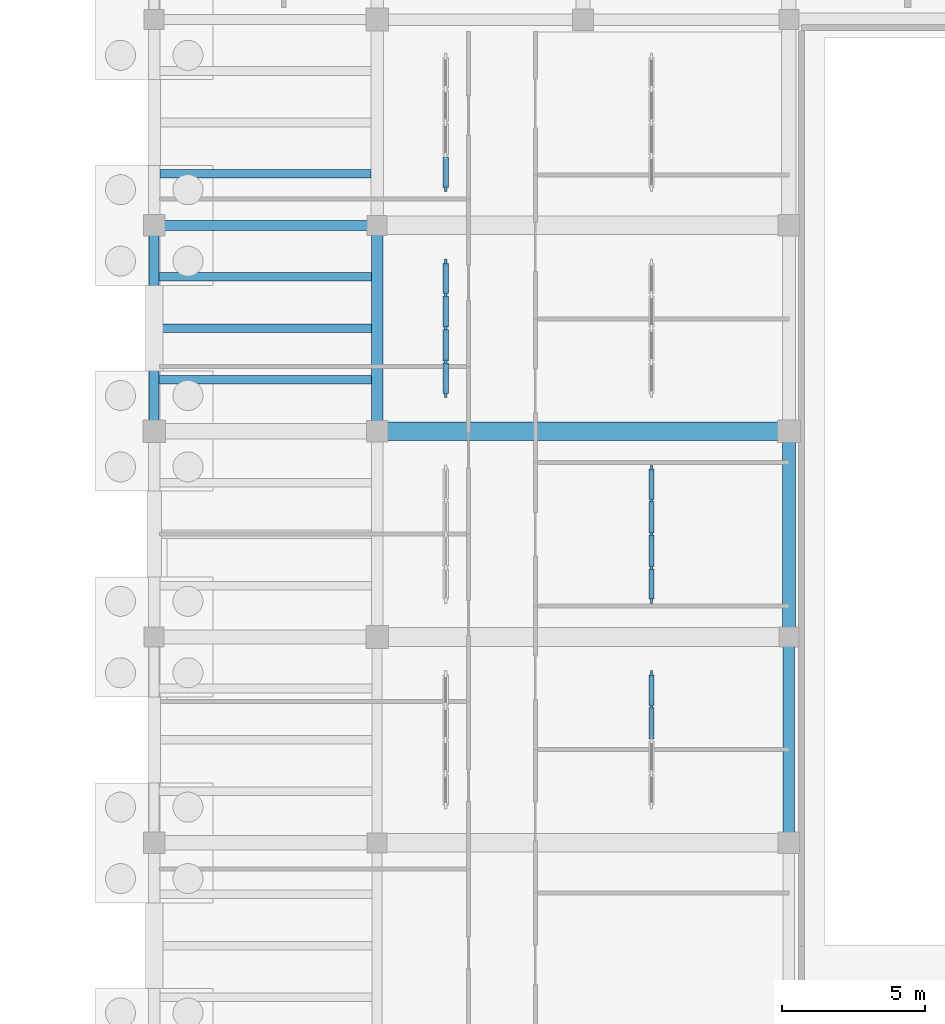
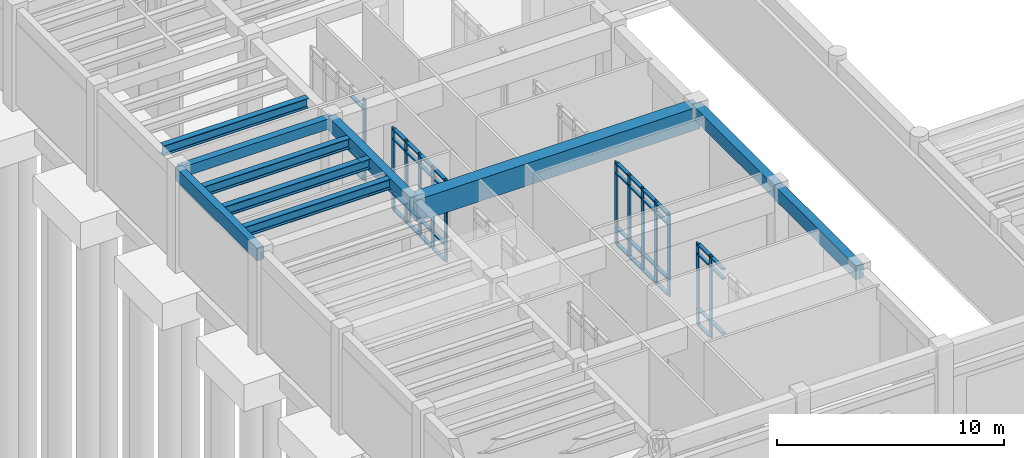
# One storey, part 10 of 100: 55 members, 10 beams, 4 elements without a shape of their own.
"""IFC4 building model written with IfcOpenShell, lengths in metres."""

from ifc_helpers import new_model, si_unit, direction, frame, origin, origin_2d, place, context, subcontext, project, spatial, rectangle, i_section, extrude, material, material_profile, profile_set, type_object, element, aggregate, save


model = new_model("IFC4")

# Units and contexts
model_context = context("Model", 3, precision=1e-05, world=origin(), true_north=direction((0.0, 1.0)))
body_context = subcontext(model_context, "Body", "Model", "MODEL_VIEW")
ifc_project = project(units=[si_unit("LENGTHUNIT", "METRE"), si_unit("AREAUNIT", "SQUARE_METRE"), si_unit("VOLUMEUNIT", "CUBIC_METRE"), si_unit("PLANEANGLEUNIT", "RADIAN"), si_unit("MASSUNIT", "GRAM", prefix="KILO")], contexts=[model_context])

# Site, building, storey
site_placement = place(None, origin())
site = spatial("IfcSite", under=ifc_project, at=site_placement, CompositionType="ELEMENT")
building_placement = place(site_placement, origin())
building = spatial("IfcBuilding", under=site, at=building_placement, Name="Mithqara Police Headquarters", CompositionType="ELEMENT")
storey_placement = place(building_placement, origin())
storey = spatial("IfcBuildingStorey", under=building, at=storey_placement, Name="L00", CompositionType="ELEMENT", Elevation=0.0)

# Beams
ifc_material_1 = material(Name="Steel S355JR", Category="steel")
ifc_material_profile_1 = material_profile(ifc_material_1, i_section(OverallWidth=0.300048828125, OverallDepth=0.550048828125, WebThickness=0.014892578125, FlangeThickness=0.029052734375, FilletRadius=0.027099609375, at=origin_2d()), Name="HEB 550")
ifc_profile_set_1 = profile_set([ifc_material_profile_1], Name="Steel S355JR")
beam_type_1 = type_object("IfcBeamType", Name="BEAM HEB550", PredefinedType="BEAM", material=ifc_profile_set_1)
for number, where, z_axis, x_axis, name in (
    (1, (0.175048828125, 44.39990234375, 4.844970703125), (1.0, 0.0, 0.0), (0.0, 1.0, 0.0), "L00 Composite Steel Joist 1-2/G.1"),
    (2, (0.175048828125, 46.199951171875, 4.844970703125), (1.0, 0.0, 0.0), (0.0, 1.0, 0.0), "L00 Composite Steel Joist 1-2/G.2"),
    (3, (0.175048828125, 48.0, 4.844970703125), (1.0, 0.0, 0.0), (0.0, 1.0, 0.0), "L00 Composite Steel Joist 1-2/G.3"),
):
    element("IfcBeam", number, at=place(storey_placement, frame(where, z_axis=z_axis, x_axis=x_axis)), inside=storey, type_object=beam_type_1, Name=name, PredefinedType="BEAM", context=body_context, shape_type="SweptSolid", body=[
        extrude(i_section(OverallWidth=0.300048828125, OverallDepth=0.550048828125, WebThickness=0.014892578125, FlangeThickness=0.029052734375, FilletRadius=0.027099609375, at=origin_2d()), origin(), (0.0, 0.0, 1.0), 7.425048828125),
    ])
beam_1_placement = place(storey_placement, frame((0.199951171875, 51.60009765625, 4.844970703125), z_axis=(1.0, 0.0, 0.0), x_axis=(0.0, 1.0, 0.0)))
element("IfcBeam", 4, at=beam_1_placement, inside=storey, type_object=beam_type_1, Name="L00 Composite Steel Joist 1-2/H.1", PredefinedType="BEAM", context=body_context, shape_type="SweptSolid", body=[
    extrude(i_section(OverallWidth=0.300048828125, OverallDepth=0.550048828125, WebThickness=0.014892578125, FlangeThickness=0.029052734375, FilletRadius=0.027099609375, at=origin_2d()), origin(), (0.0, 0.0, 1.0), 7.375),
])
ifc_material_2 = material(Name="Concrete C40/50", Category="concrete")
ifc_material_profile_2 = material_profile(ifc_material_2, rectangle(XDim=0.35009765625, YDim=0.550048828125, at=origin_2d()), Name="RC 350x550")
ifc_profile_set_2 = profile_set([ifc_material_profile_2], Name="Concrete C40/50")
beam_type_2 = type_object("IfcBeamType", Name="BEAM RC350X550", PredefinedType="BEAM", material=ifc_profile_set_2)
beam_2_placement = place(storey_placement, frame((0.0, 49.800048828125, 4.844970703125), z_axis=(1.0, 0.0, 0.0), x_axis=(0.0, 1.0, 0.0)))
element("IfcBeam", 5, at=beam_2_placement, inside=storey, type_object=beam_type_2, Name="L00 Girder 1-2/H", PredefinedType="BEAM", context=body_context, shape_type="SweptSolid", body=[
    extrude(rectangle(XDim=0.35009765625, YDim=0.550048828125, at=origin_2d()), origin(), (0.0, 0.0, 1.0), 7.800048828125),
])
ifc_material_profile_3 = material_profile(ifc_material_2, rectangle(XDim=0.39990234375, YDim=0.75, at=origin_2d()), Name="RC 400x750")
ifc_profile_set_3 = profile_set([ifc_material_profile_3], Name="Concrete C40/50")
beam_type_3 = type_object("IfcBeamType", Name="BEAM RC400X750", PredefinedType="BEAM", material=ifc_profile_set_3)
for number, where, z_axis, x_axis, name in (
    (6, (7.800048828125, 42.60009765625, 4.7451171875), (0.0, 1.0, 0.0), (-1.0, 0.0, 0.0), "L00 Girder 2/G-H"),
    (7, (22.199951171875, 28.199951171875, 4.7451171875), (0.0, 1.0, 0.0), (-1.0, 0.0, 0.0), "L00 Girder 4/E-F"),
):
    element("IfcBeam", number, at=place(storey_placement, frame(where, z_axis=z_axis, x_axis=x_axis)), inside=storey, type_object=beam_type_3, Name=name, PredefinedType="BEAM", context=body_context, shape_type="SweptSolid", body=[
        extrude(rectangle(XDim=0.39990234375, YDim=0.75, at=origin_2d()), origin(), (0.0, 0.0, 1.0), 7.199951171875),
    ])
ifc_material_profile_4 = material_profile(ifc_material_2, rectangle(XDim=0.449951171875, YDim=0.699951171875, at=origin_2d()), Name="RC 450x700")
ifc_profile_set_4 = profile_set([ifc_material_profile_4], Name="Concrete C40/50")
beam_type_4 = type_object("IfcBeamType", Name="BEAM RC450X700", PredefinedType="BEAM", material=ifc_profile_set_4)
beam_3_placement = place(storey_placement, frame((22.199951171875, 35.39990234375, 4.77001953125), z_axis=(0.0, 1.0, 0.0), x_axis=(-1.0, 0.0, 0.0)))
element("IfcBeam", 8, at=beam_3_placement, inside=storey, type_object=beam_type_4, Name="L00 Girder 4/F-G", PredefinedType="BEAM", context=body_context, shape_type="SweptSolid", body=[
    extrude(rectangle(XDim=0.449951171875, YDim=0.699951171875, at=origin_2d()), origin(), (0.0, 0.0, 1.0), 7.2001953125),
])

# Curtain wall, members
ifc_material_3 = material(Name="Bronze anodised aluminium 6063-T6", Category="aluminium")
curtain_wall_type = type_object("IfcCurtainWallType", Name="CURTAIN WALL 4700X4400", PredefinedType="USERDEFINED", material=ifc_material_3)
curtain_wall_1_placement = place(storey_placement, origin())
curtain_wall_1 = element("IfcCurtainWall", 9, at=curtain_wall_1_placement, inside=storey, type_object=curtain_wall_type, Name="L00 Unitised Glazing CW-14 (CW-INT-L00-X01-Y06-0)", ObjectType="UNITISED GLAZING", PredefinedType="USERDEFINED")
ifc_material_profile_5 = material_profile(ifc_material_3, rectangle(XDim=0.074951171875, YDim=0.219970703125, at=origin_2d()), Name="CWM 75x220")
ifc_profile_set_5 = profile_set([ifc_material_profile_5], Name="Bronze anodised aluminium 6063-T6")
member_type_1 = type_object("IfcMemberType", Name="CWMULLION 75X220", PredefinedType="MULLION", material=ifc_profile_set_5)
member_1_placement = place(storey_placement, frame((10.199951171875, 43.887451171875, 0.0), z_axis=(0.0, 0.0, 1.0), x_axis=(-1.0, 0.0, 0.0)))
member_1 = element("IfcMember", 10, at=member_1_placement, type_object=member_type_1, Name="CW-14 mullion 1", PredefinedType="MULLION", context=body_context, shape_type="SweptSolid", body=[
    extrude(rectangle(XDim=0.074951171875, YDim=0.219970703125, at=origin_2d()), origin(), (0.0, 0.0, 1.0), 4.39990234375),
])
member_2_placement = place(storey_placement, frame((10.199951171875, 45.02490234375, 0.0), z_axis=(0.0, 0.0, 1.0), x_axis=(-1.0, 0.0, 0.0)))
member_2 = element("IfcMember", 11, at=member_2_placement, type_object=member_type_1, Name="CW-14 mullion 2", PredefinedType="MULLION", context=body_context, shape_type="SweptSolid", body=[
    extrude(rectangle(XDim=0.074951171875, YDim=0.219970703125, at=origin_2d()), origin(), (0.0, 0.0, 1.0), 4.39990234375),
])
member_3_placement = place(storey_placement, frame((10.199951171875, 46.199951171875, 0.0), z_axis=(0.0, 0.0, 1.0), x_axis=(-1.0, 0.0, 0.0)))
member_3 = element("IfcMember", 12, at=member_3_placement, type_object=member_type_1, Name="CW-14 mullion 3", PredefinedType="MULLION", context=body_context, shape_type="SweptSolid", body=[
    extrude(rectangle(XDim=0.074951171875, YDim=0.219970703125, at=origin_2d()), origin(), (0.0, 0.0, 1.0), 4.39990234375),
])
member_4_placement = place(storey_placement, frame((10.199951171875, 47.375, 0.0), z_axis=(0.0, 0.0, 1.0), x_axis=(-1.0, 0.0, 0.0)))
member_4 = element("IfcMember", 13, at=member_4_placement, type_object=member_type_1, Name="CW-14 mullion 4", PredefinedType="MULLION", context=body_context, shape_type="SweptSolid", body=[
    extrude(rectangle(XDim=0.074951171875, YDim=0.219970703125, at=origin_2d()), origin(), (0.0, 0.0, 1.0), 4.39990234375),
])
member_5_placement = place(storey_placement, frame((10.199951171875, 48.512451171875, 0.0), z_axis=(0.0, 0.0, 1.0), x_axis=(-1.0, 0.0, 0.0)))
member_5 = element("IfcMember", 14, at=member_5_placement, type_object=member_type_1, Name="CW-14 mullion 5", PredefinedType="MULLION", context=body_context, shape_type="SweptSolid", body=[
    extrude(rectangle(XDim=0.074951171875, YDim=0.219970703125, at=origin_2d()), origin(), (0.0, 0.0, 1.0), 4.39990234375),
])

# Curtain wall, member
curtain_wall_2_placement = place(storey_placement, origin())
curtain_wall_2 = element("IfcCurtainWall", 15, at=curtain_wall_2_placement, inside=storey, type_object=curtain_wall_type, Name="L00 Unitised Glazing CW-14 (CW-INT-L00-X01-Y07-0)", ObjectType="UNITISED GLAZING", PredefinedType="USERDEFINED")
member_6_placement = place(storey_placement, frame((10.199951171875, 51.08740234375, 0.0), z_axis=(0.0, 0.0, 1.0), x_axis=(-1.0, 0.0, 0.0)))
member_6 = element("IfcMember", 16, at=member_6_placement, type_object=member_type_1, Name="CW-14 mullion 1", PredefinedType="MULLION", context=body_context, shape_type="SweptSolid", body=[
    extrude(rectangle(XDim=0.074951171875, YDim=0.219970703125, at=origin_2d()), origin(), (0.0, 0.0, 1.0), 4.39990234375),
])

# Curtain wall, members
curtain_wall_3_placement = place(storey_placement, origin())
curtain_wall_3 = element("IfcCurtainWall", 17, at=curtain_wall_3_placement, inside=storey, type_object=curtain_wall_type, Name="L00 Unitised Glazing CW-14 (CW-INT-L00-X02-Y04-0)", ObjectType="UNITISED GLAZING", PredefinedType="USERDEFINED")
member_7_placement = place(storey_placement, frame((17.39990234375, 32.97509765625, 0.0), z_axis=(0.0, 0.0, 1.0), x_axis=(-1.0, 0.0, 0.0)))
member_7 = element("IfcMember", 18, at=member_7_placement, type_object=member_type_1, Name="CW-14 mullion 4", PredefinedType="MULLION", context=body_context, shape_type="SweptSolid", body=[
    extrude(rectangle(XDim=0.074951171875, YDim=0.219970703125, at=origin_2d()), origin(), (0.0, 0.0, 1.0), 4.39990234375),
])
member_8_placement = place(storey_placement, frame((17.39990234375, 34.112548828125, 0.0), z_axis=(0.0, 0.0, 1.0), x_axis=(-1.0, 0.0, 0.0)))
member_8 = element("IfcMember", 19, at=member_8_placement, type_object=member_type_1, Name="CW-14 mullion 5", PredefinedType="MULLION", context=body_context, shape_type="SweptSolid", body=[
    extrude(rectangle(XDim=0.074951171875, YDim=0.219970703125, at=origin_2d()), origin(), (0.0, 0.0, 1.0), 4.39990234375),
])

curtain_wall_4_placement = place(storey_placement, origin())
curtain_wall_4 = element("IfcCurtainWall", 20, at=curtain_wall_4_placement, inside=storey, type_object=curtain_wall_type, Name="L00 Unitised Glazing CW-14 (CW-INT-L00-X02-Y05-0)", ObjectType="UNITISED GLAZING", PredefinedType="USERDEFINED")
member_9_placement = place(storey_placement, frame((17.39990234375, 36.6875, 0.0), z_axis=(0.0, 0.0, 1.0), x_axis=(-1.0, 0.0, 0.0)))
member_9 = element("IfcMember", 21, at=member_9_placement, type_object=member_type_1, Name="CW-14 mullion 1", PredefinedType="MULLION", context=body_context, shape_type="SweptSolid", body=[
    extrude(rectangle(XDim=0.074951171875, YDim=0.219970703125, at=origin_2d()), origin(), (0.0, 0.0, 1.0), 4.39990234375),
])
member_10_placement = place(storey_placement, frame((17.39990234375, 37.824951171875, 0.0), z_axis=(0.0, 0.0, 1.0), x_axis=(-1.0, 0.0, 0.0)))
member_10 = element("IfcMember", 22, at=member_10_placement, type_object=member_type_1, Name="CW-14 mullion 2", PredefinedType="MULLION", context=body_context, shape_type="SweptSolid", body=[
    extrude(rectangle(XDim=0.074951171875, YDim=0.219970703125, at=origin_2d()), origin(), (0.0, 0.0, 1.0), 4.39990234375),
])
member_11_placement = place(storey_placement, frame((17.39990234375, 39.0, 0.0), z_axis=(0.0, 0.0, 1.0), x_axis=(-1.0, 0.0, 0.0)))
member_11 = element("IfcMember", 23, at=member_11_placement, type_object=member_type_1, Name="CW-14 mullion 3", PredefinedType="MULLION", context=body_context, shape_type="SweptSolid", body=[
    extrude(rectangle(XDim=0.074951171875, YDim=0.219970703125, at=origin_2d()), origin(), (0.0, 0.0, 1.0), 4.39990234375),
])
member_12_placement = place(storey_placement, frame((17.39990234375, 40.175048828125, 0.0), z_axis=(0.0, 0.0, 1.0), x_axis=(-1.0, 0.0, 0.0)))
member_12 = element("IfcMember", 24, at=member_12_placement, type_object=member_type_1, Name="CW-14 mullion 4", PredefinedType="MULLION", context=body_context, shape_type="SweptSolid", body=[
    extrude(rectangle(XDim=0.074951171875, YDim=0.219970703125, at=origin_2d()), origin(), (0.0, 0.0, 1.0), 4.39990234375),
])
member_13_placement = place(storey_placement, frame((17.39990234375, 41.3125, 0.0), z_axis=(0.0, 0.0, 1.0), x_axis=(-1.0, 0.0, 0.0)))
member_13 = element("IfcMember", 25, at=member_13_placement, type_object=member_type_1, Name="CW-14 mullion 5", PredefinedType="MULLION", context=body_context, shape_type="SweptSolid", body=[
    extrude(rectangle(XDim=0.074951171875, YDim=0.219970703125, at=origin_2d()), origin(), (0.0, 0.0, 1.0), 4.39990234375),
])

# Member
ifc_material_profile_6 = material_profile(ifc_material_3, rectangle(XDim=0.179931640625, YDim=0.074951171875, at=origin_2d()), Name="CWT 180x75")
ifc_profile_set_6 = profile_set([ifc_material_profile_6], Name="Bronze anodised aluminium 6063-T6")
member_type_2 = type_object("IfcMemberType", Name="CWTRANSOM 180X75", PredefinedType="USERDEFINED", material=ifc_profile_set_6)
member_14_placement = place(storey_placement, frame((10.199951171875, 43.925048828125, 0.03759765625), z_axis=(0.0, 1.0, 0.0), x_axis=(-1.0, 0.0, 0.0)))
member_14 = element("IfcMember", 26, at=member_14_placement, type_object=member_type_2, Name="CW-14 transom 1.1", ObjectType="TRANSOM", PredefinedType="USERDEFINED", context=body_context, shape_type="SweptSolid", body=[
    extrude(rectangle(XDim=0.179931640625, YDim=0.074951171875, at=origin_2d()), origin(), (0.0, 0.0, 1.0), 1.0625),
])

member_15_placement = place(storey_placement, frame((10.199951171875, 43.925048828125, 0.89990234375), z_axis=(0.0, 1.0, 0.0), x_axis=(-1.0, 0.0, 0.0)))
member_15 = element("IfcMember", 27, at=member_15_placement, type_object=member_type_2, Name="CW-14 transom 1.2", ObjectType="TRANSOM", PredefinedType="USERDEFINED", context=body_context, shape_type="SweptSolid", body=[
    extrude(rectangle(XDim=0.179931640625, YDim=0.074951171875, at=origin_2d()), origin(), (0.0, 0.0, 1.0), 1.0625),
])

member_16_placement = place(storey_placement, frame((10.199951171875, 43.925048828125, 3.85009765625), z_axis=(0.0, 1.0, 0.0), x_axis=(-1.0, 0.0, 0.0)))
member_16 = element("IfcMember", 28, at=member_16_placement, type_object=member_type_2, Name="CW-14 transom 1.3", ObjectType="TRANSOM", PredefinedType="USERDEFINED", context=body_context, shape_type="SweptSolid", body=[
    extrude(rectangle(XDim=0.179931640625, YDim=0.074951171875, at=origin_2d()), origin(), (0.0, 0.0, 1.0), 1.0625),
])

member_17_placement = place(storey_placement, frame((10.199951171875, 43.925048828125, 4.362548828125), z_axis=(0.0, 1.0, 0.0), x_axis=(-1.0, 0.0, 0.0)))
member_17 = element("IfcMember", 29, at=member_17_placement, type_object=member_type_2, Name="CW-14 transom 1.4", ObjectType="TRANSOM", PredefinedType="USERDEFINED", context=body_context, shape_type="SweptSolid", body=[
    extrude(rectangle(XDim=0.179931640625, YDim=0.074951171875, at=origin_2d()), origin(), (0.0, 0.0, 1.0), 1.0625),
])

member_18_placement = place(storey_placement, frame((10.199951171875, 45.0625, 0.03759765625), z_axis=(0.0, 1.0, 0.0), x_axis=(-1.0, 0.0, 0.0)))
member_18 = element("IfcMember", 30, at=member_18_placement, type_object=member_type_2, Name="CW-14 transom 2.1", ObjectType="TRANSOM", PredefinedType="USERDEFINED", context=body_context, shape_type="SweptSolid", body=[
    extrude(rectangle(XDim=0.179931640625, YDim=0.074951171875, at=origin_2d()), origin(), (0.0, 0.0, 1.0), 1.10009765625),
])

member_19_placement = place(storey_placement, frame((10.199951171875, 45.0625, 0.89990234375), z_axis=(0.0, 1.0, 0.0), x_axis=(-1.0, 0.0, 0.0)))
member_19 = element("IfcMember", 31, at=member_19_placement, type_object=member_type_2, Name="CW-14 transom 2.2", ObjectType="TRANSOM", PredefinedType="USERDEFINED", context=body_context, shape_type="SweptSolid", body=[
    extrude(rectangle(XDim=0.179931640625, YDim=0.074951171875, at=origin_2d()), origin(), (0.0, 0.0, 1.0), 1.10009765625),
])

member_20_placement = place(storey_placement, frame((10.199951171875, 45.0625, 3.85009765625), z_axis=(0.0, 1.0, 0.0), x_axis=(-1.0, 0.0, 0.0)))
member_20 = element("IfcMember", 32, at=member_20_placement, type_object=member_type_2, Name="CW-14 transom 2.3", ObjectType="TRANSOM", PredefinedType="USERDEFINED", context=body_context, shape_type="SweptSolid", body=[
    extrude(rectangle(XDim=0.179931640625, YDim=0.074951171875, at=origin_2d()), origin(), (0.0, 0.0, 1.0), 1.10009765625),
])

member_21_placement = place(storey_placement, frame((10.199951171875, 45.0625, 4.362548828125), z_axis=(0.0, 1.0, 0.0), x_axis=(-1.0, 0.0, 0.0)))
member_21 = element("IfcMember", 33, at=member_21_placement, type_object=member_type_2, Name="CW-14 transom 2.4", ObjectType="TRANSOM", PredefinedType="USERDEFINED", context=body_context, shape_type="SweptSolid", body=[
    extrude(rectangle(XDim=0.179931640625, YDim=0.074951171875, at=origin_2d()), origin(), (0.0, 0.0, 1.0), 1.10009765625),
])

member_22_placement = place(storey_placement, frame((10.199951171875, 46.237548828125, 0.03759765625), z_axis=(0.0, 1.0, 0.0), x_axis=(-1.0, 0.0, 0.0)))
member_22 = element("IfcMember", 34, at=member_22_placement, type_object=member_type_2, Name="CW-14 transom 3.1", ObjectType="TRANSOM", PredefinedType="USERDEFINED", context=body_context, shape_type="SweptSolid", body=[
    extrude(rectangle(XDim=0.179931640625, YDim=0.074951171875, at=origin_2d()), origin(), (0.0, 0.0, 1.0), 1.099853515625),
])

member_23_placement = place(storey_placement, frame((10.199951171875, 46.237548828125, 0.89990234375), z_axis=(0.0, 1.0, 0.0), x_axis=(-1.0, 0.0, 0.0)))
member_23 = element("IfcMember", 35, at=member_23_placement, type_object=member_type_2, Name="CW-14 transom 3.2", ObjectType="TRANSOM", PredefinedType="USERDEFINED", context=body_context, shape_type="SweptSolid", body=[
    extrude(rectangle(XDim=0.179931640625, YDim=0.074951171875, at=origin_2d()), origin(), (0.0, 0.0, 1.0), 1.099853515625),
])

member_24_placement = place(storey_placement, frame((10.199951171875, 46.237548828125, 3.85009765625), z_axis=(0.0, 1.0, 0.0), x_axis=(-1.0, 0.0, 0.0)))
member_24 = element("IfcMember", 36, at=member_24_placement, type_object=member_type_2, Name="CW-14 transom 3.3", ObjectType="TRANSOM", PredefinedType="USERDEFINED", context=body_context, shape_type="SweptSolid", body=[
    extrude(rectangle(XDim=0.179931640625, YDim=0.074951171875, at=origin_2d()), origin(), (0.0, 0.0, 1.0), 1.099853515625),
])

member_25_placement = place(storey_placement, frame((10.199951171875, 46.237548828125, 4.362548828125), z_axis=(0.0, 1.0, 0.0), x_axis=(-1.0, 0.0, 0.0)))
member_25 = element("IfcMember", 37, at=member_25_placement, type_object=member_type_2, Name="CW-14 transom 3.4", ObjectType="TRANSOM", PredefinedType="USERDEFINED", context=body_context, shape_type="SweptSolid", body=[
    extrude(rectangle(XDim=0.179931640625, YDim=0.074951171875, at=origin_2d()), origin(), (0.0, 0.0, 1.0), 1.099853515625),
])

member_26_placement = place(storey_placement, frame((10.199951171875, 47.41259765625, 0.03759765625), z_axis=(0.0, 1.0, 0.0), x_axis=(-1.0, 0.0, 0.0)))
member_26 = element("IfcMember", 38, at=member_26_placement, type_object=member_type_2, Name="CW-14 transom 4.1", ObjectType="TRANSOM", PredefinedType="USERDEFINED", context=body_context, shape_type="SweptSolid", body=[
    extrude(rectangle(XDim=0.179931640625, YDim=0.074951171875, at=origin_2d()), origin(), (0.0, 0.0, 1.0), 1.0625),
])

member_27_placement = place(storey_placement, frame((10.199951171875, 47.41259765625, 0.89990234375), z_axis=(0.0, 1.0, 0.0), x_axis=(-1.0, 0.0, 0.0)))
member_27 = element("IfcMember", 39, at=member_27_placement, type_object=member_type_2, Name="CW-14 transom 4.2", ObjectType="TRANSOM", PredefinedType="USERDEFINED", context=body_context, shape_type="SweptSolid", body=[
    extrude(rectangle(XDim=0.179931640625, YDim=0.074951171875, at=origin_2d()), origin(), (0.0, 0.0, 1.0), 1.0625),
])

member_28_placement = place(storey_placement, frame((10.199951171875, 47.41259765625, 3.85009765625), z_axis=(0.0, 1.0, 0.0), x_axis=(-1.0, 0.0, 0.0)))
member_28 = element("IfcMember", 40, at=member_28_placement, type_object=member_type_2, Name="CW-14 transom 4.3", ObjectType="TRANSOM", PredefinedType="USERDEFINED", context=body_context, shape_type="SweptSolid", body=[
    extrude(rectangle(XDim=0.179931640625, YDim=0.074951171875, at=origin_2d()), origin(), (0.0, 0.0, 1.0), 1.0625),
])

member_29_placement = place(storey_placement, frame((10.199951171875, 47.41259765625, 4.362548828125), z_axis=(0.0, 1.0, 0.0), x_axis=(-1.0, 0.0, 0.0)))
member_29 = element("IfcMember", 41, at=member_29_placement, type_object=member_type_2, Name="CW-14 transom 4.4", ObjectType="TRANSOM", PredefinedType="USERDEFINED", context=body_context, shape_type="SweptSolid", body=[
    extrude(rectangle(XDim=0.179931640625, YDim=0.074951171875, at=origin_2d()), origin(), (0.0, 0.0, 1.0), 1.0625),
])

aggregate(curtain_wall_1, [member_1, member_2, member_3, member_4, member_5, member_14, member_15, member_16, member_17, member_18, member_19, member_20, member_21, member_22, member_23, member_24, member_25, member_26, member_27, member_28, member_29])

member_30_placement = place(storey_placement, frame((10.199951171875, 51.125, 0.03759765625), z_axis=(0.0, 1.0, 0.0), x_axis=(-1.0, 0.0, 0.0)))
member_30 = element("IfcMember", 42, at=member_30_placement, type_object=member_type_2, Name="CW-14 transom 1.1", ObjectType="TRANSOM", PredefinedType="USERDEFINED", context=body_context, shape_type="SweptSolid", body=[
    extrude(rectangle(XDim=0.179931640625, YDim=0.074951171875, at=origin_2d()), origin(), (0.0, 0.0, 1.0), 1.0625),
])

member_31_placement = place(storey_placement, frame((10.199951171875, 51.125, 0.89990234375), z_axis=(0.0, 1.0, 0.0), x_axis=(-1.0, 0.0, 0.0)))
member_31 = element("IfcMember", 43, at=member_31_placement, type_object=member_type_2, Name="CW-14 transom 1.2", ObjectType="TRANSOM", PredefinedType="USERDEFINED", context=body_context, shape_type="SweptSolid", body=[
    extrude(rectangle(XDim=0.179931640625, YDim=0.074951171875, at=origin_2d()), origin(), (0.0, 0.0, 1.0), 1.0625),
])

member_32_placement = place(storey_placement, frame((10.199951171875, 51.125, 3.85009765625), z_axis=(0.0, 1.0, 0.0), x_axis=(-1.0, 0.0, 0.0)))
member_32 = element("IfcMember", 44, at=member_32_placement, type_object=member_type_2, Name="CW-14 transom 1.3", ObjectType="TRANSOM", PredefinedType="USERDEFINED", context=body_context, shape_type="SweptSolid", body=[
    extrude(rectangle(XDim=0.179931640625, YDim=0.074951171875, at=origin_2d()), origin(), (0.0, 0.0, 1.0), 1.0625),
])

aggregate(curtain_wall_2, [member_6, member_30, member_31, member_32])

member_33_placement = place(storey_placement, frame((17.39990234375, 31.83740234375, 0.89990234375), z_axis=(0.0, 1.0, 0.0), x_axis=(-1.0, 0.0, 0.0)))
member_33 = element("IfcMember", 45, at=member_33_placement, type_object=member_type_2, Name="CW-14 transom 3.2", ObjectType="TRANSOM", PredefinedType="USERDEFINED", context=body_context, shape_type="SweptSolid", body=[
    extrude(rectangle(XDim=0.179931640625, YDim=0.074951171875, at=origin_2d()), origin(), (0.0, 0.0, 1.0), 1.10009765625),
])

member_34_placement = place(storey_placement, frame((17.39990234375, 31.83740234375, 3.85009765625), z_axis=(0.0, 1.0, 0.0), x_axis=(-1.0, 0.0, 0.0)))
member_34 = element("IfcMember", 46, at=member_34_placement, type_object=member_type_2, Name="CW-14 transom 3.3", ObjectType="TRANSOM", PredefinedType="USERDEFINED", context=body_context, shape_type="SweptSolid", body=[
    extrude(rectangle(XDim=0.179931640625, YDim=0.074951171875, at=origin_2d()), origin(), (0.0, 0.0, 1.0), 1.10009765625),
])

member_35_placement = place(storey_placement, frame((17.39990234375, 31.83740234375, 4.362548828125), z_axis=(0.0, 1.0, 0.0), x_axis=(-1.0, 0.0, 0.0)))
member_35 = element("IfcMember", 47, at=member_35_placement, type_object=member_type_2, Name="CW-14 transom 3.4", ObjectType="TRANSOM", PredefinedType="USERDEFINED", context=body_context, shape_type="SweptSolid", body=[
    extrude(rectangle(XDim=0.179931640625, YDim=0.074951171875, at=origin_2d()), origin(), (0.0, 0.0, 1.0), 1.10009765625),
])

member_36_placement = place(storey_placement, frame((17.39990234375, 33.012451171875, 0.03759765625), z_axis=(0.0, 1.0, 0.0), x_axis=(-1.0, 0.0, 0.0)))
member_36 = element("IfcMember", 48, at=member_36_placement, type_object=member_type_2, Name="CW-14 transom 4.1", ObjectType="TRANSOM", PredefinedType="USERDEFINED", context=body_context, shape_type="SweptSolid", body=[
    extrude(rectangle(XDim=0.179931640625, YDim=0.074951171875, at=origin_2d()), origin(), (0.0, 0.0, 1.0), 1.0625),
])

member_37_placement = place(storey_placement, frame((17.39990234375, 33.012451171875, 0.89990234375), z_axis=(0.0, 1.0, 0.0), x_axis=(-1.0, 0.0, 0.0)))
member_37 = element("IfcMember", 49, at=member_37_placement, type_object=member_type_2, Name="CW-14 transom 4.2", ObjectType="TRANSOM", PredefinedType="USERDEFINED", context=body_context, shape_type="SweptSolid", body=[
    extrude(rectangle(XDim=0.179931640625, YDim=0.074951171875, at=origin_2d()), origin(), (0.0, 0.0, 1.0), 1.0625),
])

member_38_placement = place(storey_placement, frame((17.39990234375, 33.012451171875, 3.85009765625), z_axis=(0.0, 1.0, 0.0), x_axis=(-1.0, 0.0, 0.0)))
member_38 = element("IfcMember", 50, at=member_38_placement, type_object=member_type_2, Name="CW-14 transom 4.3", ObjectType="TRANSOM", PredefinedType="USERDEFINED", context=body_context, shape_type="SweptSolid", body=[
    extrude(rectangle(XDim=0.179931640625, YDim=0.074951171875, at=origin_2d()), origin(), (0.0, 0.0, 1.0), 1.0625),
])

member_39_placement = place(storey_placement, frame((17.39990234375, 33.012451171875, 4.362548828125), z_axis=(0.0, 1.0, 0.0), x_axis=(-1.0, 0.0, 0.0)))
member_39 = element("IfcMember", 51, at=member_39_placement, type_object=member_type_2, Name="CW-14 transom 4.4", ObjectType="TRANSOM", PredefinedType="USERDEFINED", context=body_context, shape_type="SweptSolid", body=[
    extrude(rectangle(XDim=0.179931640625, YDim=0.074951171875, at=origin_2d()), origin(), (0.0, 0.0, 1.0), 1.0625),
])

aggregate(curtain_wall_3, [member_7, member_8, member_33, member_34, member_35, member_36, member_37, member_38, member_39])

member_40_placement = place(storey_placement, frame((17.39990234375, 36.72509765625, 0.03759765625), z_axis=(0.0, 1.0, 0.0), x_axis=(-1.0, 0.0, 0.0)))
member_40 = element("IfcMember", 52, at=member_40_placement, type_object=member_type_2, Name="CW-14 transom 1.1", ObjectType="TRANSOM", PredefinedType="USERDEFINED", context=body_context, shape_type="SweptSolid", body=[
    extrude(rectangle(XDim=0.179931640625, YDim=0.074951171875, at=origin_2d()), origin(), (0.0, 0.0, 1.0), 1.0625),
])

member_41_placement = place(storey_placement, frame((17.39990234375, 36.72509765625, 0.89990234375), z_axis=(0.0, 1.0, 0.0), x_axis=(-1.0, 0.0, 0.0)))
member_41 = element("IfcMember", 53, at=member_41_placement, type_object=member_type_2, Name="CW-14 transom 1.2", ObjectType="TRANSOM", PredefinedType="USERDEFINED", context=body_context, shape_type="SweptSolid", body=[
    extrude(rectangle(XDim=0.179931640625, YDim=0.074951171875, at=origin_2d()), origin(), (0.0, 0.0, 1.0), 1.0625),
])

member_42_placement = place(storey_placement, frame((17.39990234375, 36.72509765625, 3.85009765625), z_axis=(0.0, 1.0, 0.0), x_axis=(-1.0, 0.0, 0.0)))
member_42 = element("IfcMember", 54, at=member_42_placement, type_object=member_type_2, Name="CW-14 transom 1.3", ObjectType="TRANSOM", PredefinedType="USERDEFINED", context=body_context, shape_type="SweptSolid", body=[
    extrude(rectangle(XDim=0.179931640625, YDim=0.074951171875, at=origin_2d()), origin(), (0.0, 0.0, 1.0), 1.0625),
])

member_43_placement = place(storey_placement, frame((17.39990234375, 36.72509765625, 4.362548828125), z_axis=(0.0, 1.0, 0.0), x_axis=(-1.0, 0.0, 0.0)))
member_43 = element("IfcMember", 55, at=member_43_placement, type_object=member_type_2, Name="CW-14 transom 1.4", ObjectType="TRANSOM", PredefinedType="USERDEFINED", context=body_context, shape_type="SweptSolid", body=[
    extrude(rectangle(XDim=0.179931640625, YDim=0.074951171875, at=origin_2d()), origin(), (0.0, 0.0, 1.0), 1.0625),
])

member_44_placement = place(storey_placement, frame((17.39990234375, 37.862548828125, 0.03759765625), z_axis=(0.0, 1.0, 0.0), x_axis=(-1.0, 0.0, 0.0)))
member_44 = element("IfcMember", 56, at=member_44_placement, type_object=member_type_2, Name="CW-14 transom 2.1", ObjectType="TRANSOM", PredefinedType="USERDEFINED", context=body_context, shape_type="SweptSolid", body=[
    extrude(rectangle(XDim=0.179931640625, YDim=0.074951171875, at=origin_2d()), origin(), (0.0, 0.0, 1.0), 1.099853515625),
])

member_45_placement = place(storey_placement, frame((17.39990234375, 37.862548828125, 0.89990234375), z_axis=(0.0, 1.0, 0.0), x_axis=(-1.0, 0.0, 0.0)))
member_45 = element("IfcMember", 57, at=member_45_placement, type_object=member_type_2, Name="CW-14 transom 2.2", ObjectType="TRANSOM", PredefinedType="USERDEFINED", context=body_context, shape_type="SweptSolid", body=[
    extrude(rectangle(XDim=0.179931640625, YDim=0.074951171875, at=origin_2d()), origin(), (0.0, 0.0, 1.0), 1.099853515625),
])

member_46_placement = place(storey_placement, frame((17.39990234375, 37.862548828125, 3.85009765625), z_axis=(0.0, 1.0, 0.0), x_axis=(-1.0, 0.0, 0.0)))
member_46 = element("IfcMember", 58, at=member_46_placement, type_object=member_type_2, Name="CW-14 transom 2.3", ObjectType="TRANSOM", PredefinedType="USERDEFINED", context=body_context, shape_type="SweptSolid", body=[
    extrude(rectangle(XDim=0.179931640625, YDim=0.074951171875, at=origin_2d()), origin(), (0.0, 0.0, 1.0), 1.099853515625),
])

member_47_placement = place(storey_placement, frame((17.39990234375, 37.862548828125, 4.362548828125), z_axis=(0.0, 1.0, 0.0), x_axis=(-1.0, 0.0, 0.0)))
member_47 = element("IfcMember", 59, at=member_47_placement, type_object=member_type_2, Name="CW-14 transom 2.4", ObjectType="TRANSOM", PredefinedType="USERDEFINED", context=body_context, shape_type="SweptSolid", body=[
    extrude(rectangle(XDim=0.179931640625, YDim=0.074951171875, at=origin_2d()), origin(), (0.0, 0.0, 1.0), 1.099853515625),
])

member_48_placement = place(storey_placement, frame((17.39990234375, 39.03759765625, 0.03759765625), z_axis=(0.0, 1.0, 0.0), x_axis=(-1.0, 0.0, 0.0)))
member_48 = element("IfcMember", 60, at=member_48_placement, type_object=member_type_2, Name="CW-14 transom 3.1", ObjectType="TRANSOM", PredefinedType="USERDEFINED", context=body_context, shape_type="SweptSolid", body=[
    extrude(rectangle(XDim=0.179931640625, YDim=0.074951171875, at=origin_2d()), origin(), (0.0, 0.0, 1.0), 1.099853515625),
])

member_49_placement = place(storey_placement, frame((17.39990234375, 39.03759765625, 0.89990234375), z_axis=(0.0, 1.0, 0.0), x_axis=(-1.0, 0.0, 0.0)))
member_49 = element("IfcMember", 61, at=member_49_placement, type_object=member_type_2, Name="CW-14 transom 3.2", ObjectType="TRANSOM", PredefinedType="USERDEFINED", context=body_context, shape_type="SweptSolid", body=[
    extrude(rectangle(XDim=0.179931640625, YDim=0.074951171875, at=origin_2d()), origin(), (0.0, 0.0, 1.0), 1.099853515625),
])

member_50_placement = place(storey_placement, frame((17.39990234375, 39.03759765625, 3.85009765625), z_axis=(0.0, 1.0, 0.0), x_axis=(-1.0, 0.0, 0.0)))
member_50 = element("IfcMember", 62, at=member_50_placement, type_object=member_type_2, Name="CW-14 transom 3.3", ObjectType="TRANSOM", PredefinedType="USERDEFINED", context=body_context, shape_type="SweptSolid", body=[
    extrude(rectangle(XDim=0.179931640625, YDim=0.074951171875, at=origin_2d()), origin(), (0.0, 0.0, 1.0), 1.099853515625),
])

member_51_placement = place(storey_placement, frame((17.39990234375, 39.03759765625, 4.362548828125), z_axis=(0.0, 1.0, 0.0), x_axis=(-1.0, 0.0, 0.0)))
member_51 = element("IfcMember", 63, at=member_51_placement, type_object=member_type_2, Name="CW-14 transom 3.4", ObjectType="TRANSOM", PredefinedType="USERDEFINED", context=body_context, shape_type="SweptSolid", body=[
    extrude(rectangle(XDim=0.179931640625, YDim=0.074951171875, at=origin_2d()), origin(), (0.0, 0.0, 1.0), 1.099853515625),
])

member_52_placement = place(storey_placement, frame((17.39990234375, 40.21240234375, 0.03759765625), z_axis=(0.0, 1.0, 0.0), x_axis=(-1.0, 0.0, 0.0)))
member_52 = element("IfcMember", 64, at=member_52_placement, type_object=member_type_2, Name="CW-14 transom 4.1", ObjectType="TRANSOM", PredefinedType="USERDEFINED", context=body_context, shape_type="SweptSolid", body=[
    extrude(rectangle(XDim=0.179931640625, YDim=0.074951171875, at=origin_2d()), origin(), (0.0, 0.0, 1.0), 1.0625),
])

member_53_placement = place(storey_placement, frame((17.39990234375, 40.21240234375, 0.89990234375), z_axis=(0.0, 1.0, 0.0), x_axis=(-1.0, 0.0, 0.0)))
member_53 = element("IfcMember", 65, at=member_53_placement, type_object=member_type_2, Name="CW-14 transom 4.2", ObjectType="TRANSOM", PredefinedType="USERDEFINED", context=body_context, shape_type="SweptSolid", body=[
    extrude(rectangle(XDim=0.179931640625, YDim=0.074951171875, at=origin_2d()), origin(), (0.0, 0.0, 1.0), 1.0625),
])

member_54_placement = place(storey_placement, frame((17.39990234375, 40.21240234375, 3.85009765625), z_axis=(0.0, 1.0, 0.0), x_axis=(-1.0, 0.0, 0.0)))
member_54 = element("IfcMember", 66, at=member_54_placement, type_object=member_type_2, Name="CW-14 transom 4.3", ObjectType="TRANSOM", PredefinedType="USERDEFINED", context=body_context, shape_type="SweptSolid", body=[
    extrude(rectangle(XDim=0.179931640625, YDim=0.074951171875, at=origin_2d()), origin(), (0.0, 0.0, 1.0), 1.0625),
])

member_55_placement = place(storey_placement, frame((17.39990234375, 40.21240234375, 4.362548828125), z_axis=(0.0, 1.0, 0.0), x_axis=(-1.0, 0.0, 0.0)))
member_55 = element("IfcMember", 67, at=member_55_placement, type_object=member_type_2, Name="CW-14 transom 4.4", ObjectType="TRANSOM", PredefinedType="USERDEFINED", context=body_context, shape_type="SweptSolid", body=[
    extrude(rectangle(XDim=0.179931640625, YDim=0.074951171875, at=origin_2d()), origin(), (0.0, 0.0, 1.0), 1.0625),
])

aggregate(curtain_wall_4, [member_9, member_10, member_11, member_12, member_13, member_40, member_41, member_42, member_43, member_44, member_45, member_46, member_47, member_48, member_49, member_50, member_51, member_52, member_53, member_54, member_55])

# Beams
ifc_material_profile_7 = material_profile(ifc_material_2, rectangle(XDim=0.35009765625, YDim=0.699951171875, at=origin_2d()), Name="SPB 350x700")
ifc_profile_set_7 = profile_set([ifc_material_profile_7], Name="Concrete C40/50")
beam_type_5 = type_object("IfcBeamType", Name="SPANDREL 350X700", PredefinedType="SPANDREL", material=ifc_profile_set_7)
beam_4_placement = place(storey_placement, frame((0.0, 42.60009765625, 4.77001953125), z_axis=(0.0, 1.0, 0.0), x_axis=(-1.0, 0.0, 0.0)))
element("IfcBeam", 68, at=beam_4_placement, inside=storey, type_object=beam_type_5, Name="L00 Girder 1/G-H", PredefinedType="SPANDREL", context=body_context, shape_type="SweptSolid", body=[
    extrude(rectangle(XDim=0.35009765625, YDim=0.699951171875, at=origin_2d()), origin(), (0.0, 0.0, 1.0), 7.199951171875),
])
ifc_material_4 = material(Name="Concrete C50/60", Category="concrete")
ifc_material_profile_8 = material_profile(ifc_material_4, rectangle(XDim=0.64990234375, YDim=1.199951171875, at=origin_2d()), Name="RC 650x1200")
ifc_profile_set_8 = profile_set([ifc_material_profile_8], Name="Concrete C50/60")
beam_type_6 = type_object("IfcBeamType", Name="TRANSFER RC650X1200", PredefinedType="BEAM", material=ifc_profile_set_8)
beam_5_placement = place(storey_placement, frame((7.800048828125, 42.60009765625, 4.52001953125), z_axis=(1.0, 0.0, 0.0), x_axis=(0.0, 1.0, 0.0)))
element("IfcBeam", 69, at=beam_5_placement, inside=storey, type_object=beam_type_6, Name="L00 Girder 2-4/G", PredefinedType="BEAM", context=body_context, shape_type="SweptSolid", body=[
    extrude(rectangle(XDim=0.64990234375, YDim=1.199951171875, at=origin_2d()), origin(), (0.0, 0.0, 1.0), 14.39990234375),
])

save(model, "model.ifc")
